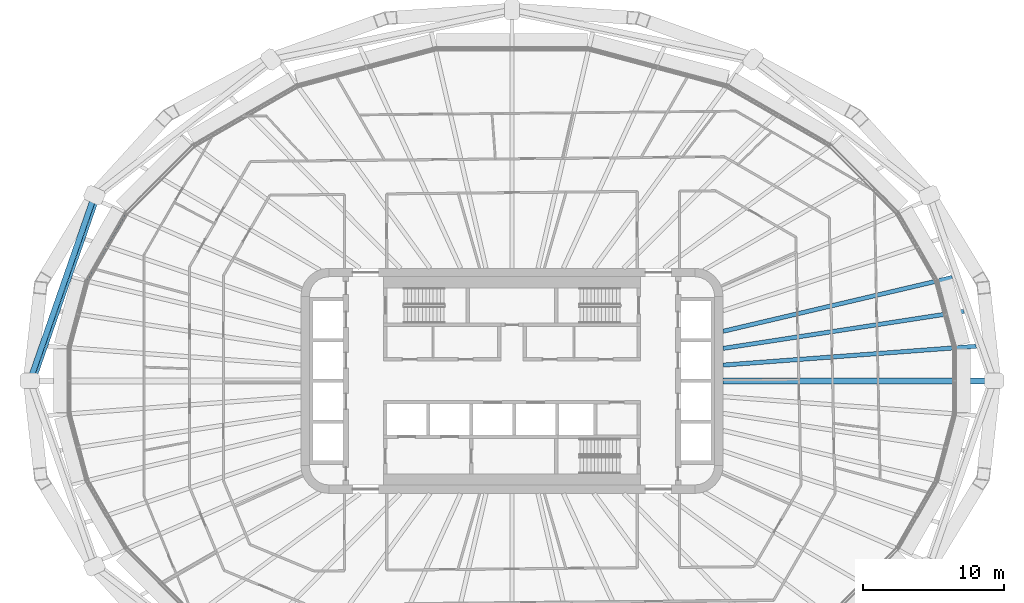
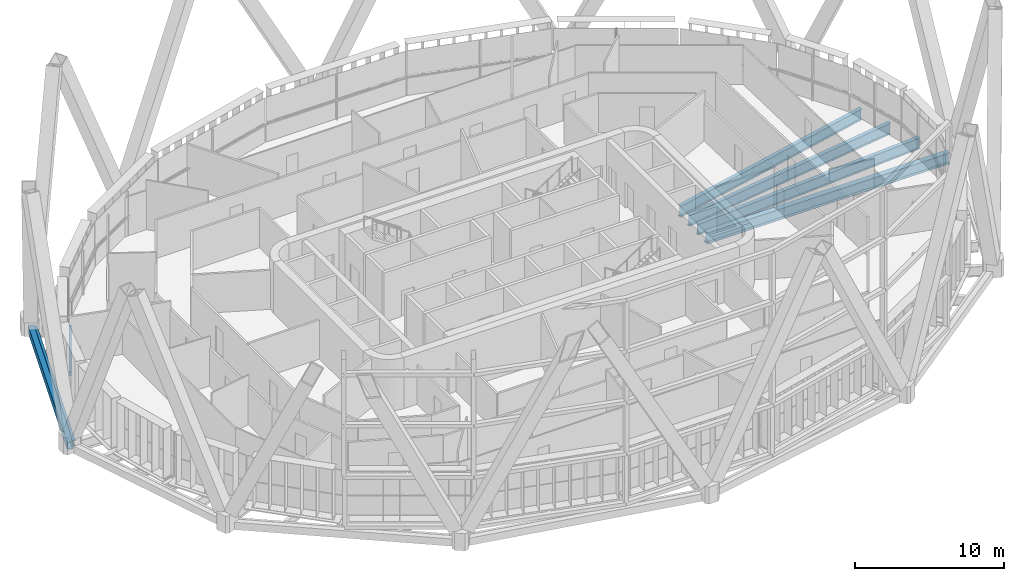
# One storey, part 6 of 25: 7 beams.
"""IFC4 building model written with IfcOpenShell, lengths in metres."""

from ifc_helpers import new_model, si_unit, direction, frame, origin, origin_2d, place, context, subcontext, project, spatial, hollow_rectangle, i_section, extrude, material, material_profile, profile_set, type_object, element, save


model = new_model("IFC4")

# Units and contexts
model_context = context("Model", 3, precision=1e-05, world=origin(), true_north=direction((0.0, 1.0)))
body_context = subcontext(model_context, "Body", "Model", "MODEL_VIEW")
ifc_project = project(units=[si_unit("LENGTHUNIT", "METRE"), si_unit("AREAUNIT", "SQUARE_METRE"), si_unit("VOLUMEUNIT", "CUBIC_METRE"), si_unit("PLANEANGLEUNIT", "RADIAN"), si_unit("MASSUNIT", "GRAM", prefix="KILO")], contexts=[model_context])

# Site, building, storey
site_placement = place(None, origin())
site = spatial("IfcSite", under=ifc_project, at=site_placement, CompositionType="ELEMENT")
building_placement = place(site_placement, origin())
building = spatial("IfcBuilding", under=site, at=building_placement, Name="Sahrelin Media Tower", CompositionType="ELEMENT")
storey_placement = place(building_placement, frame((0.0, 0.0, 79.800048828125)))
storey = spatial("IfcBuildingStorey", under=building, at=storey_placement, Name="L14", CompositionType="ELEMENT", Elevation=79.800048828125)

# Beams
ifc_material_1 = material(Name="Steel S460", Category="steel")
ifc_material_profile_1 = material_profile(ifc_material_1, hollow_rectangle(XDim=0.39990234375, YDim=0.60009765625, WallThickness=0.030029296875, at=origin_2d()), Name="Diagrid ring beam RB1")
ifc_profile_set_1 = profile_set([ifc_material_profile_1], Name="Steel S460")
beam_type_1 = type_object("IfcBeamType", Name="Diagrid ring beam RB1", PredefinedType="BEAM", material=ifc_profile_set_1)
beam_1_placement = place(storey_placement, frame((-29.66357421875, 13.181884765625, -0.449951171875), z_axis=(-0.328783158081, -0.944405439926, 0.0), x_axis=(0.944405439926, -0.328783158081, 0.0)))
element("IfcBeam", 1, at=beam_1_placement, inside=storey, type_object=beam_type_1, Name="Diagrid ring beam RB02-05", PredefinedType="BEAM", context=body_context, shape_type="SweptSolid", body=[
    extrude(hollow_rectangle(XDim=0.39990234375, YDim=0.60009765625, WallThickness=0.030029296875, at=origin_2d()), origin(), (0.0, 0.0, 1.0), 13.957763671875),
])
ifc_material_2 = material(Name="Steel S355", Category="steel")
ifc_material_profile_2 = material_profile(ifc_material_2, i_section(OverallWidth=0.1650390625, OverallDepth=0.303466796875, WebThickness=0.006103515625, FlangeThickness=0.01025390625, FilletRadius=0.0087890625, at=origin_2d()), Name="UB 305x165x40")
ifc_profile_set_2 = profile_set([ifc_material_profile_2], Name="Steel S355")
beam_type_2 = type_object("IfcBeamType", Name="Edge beam EB2", PredefinedType="BEAM", material=ifc_profile_set_2)
beam_2_placement = place(storey_placement, frame((-30.131103515625, 7.065673828125, -0.3017578125), z_axis=(0.500032921827, 0.866006395524, 0.0), x_axis=(-0.866006395524, 0.500032921827, 0.0)))
element("IfcBeam", 2, at=beam_2_placement, inside=storey, type_object=beam_type_2, Name="Edge beam L14-15", PredefinedType="BEAM", context=body_context, shape_type="SweptSolid", body=[
    extrude(i_section(OverallWidth=0.1650390625, OverallDepth=0.303466796875, WebThickness=0.006103515625, FlangeThickness=0.01025390625, FilletRadius=0.0087890625, at=origin_2d()), origin(), (0.0, 0.0, 1.0), 5.536376953125),
])
ifc_material_profile_3 = material_profile(ifc_material_2, i_section(OverallWidth=0.30322265625, OverallDepth=0.903076171875, WebThickness=0.01513671875, FlangeThickness=0.020263671875, FilletRadius=0.01904296875, at=origin_2d()), Name="UB 914x305x201")
ifc_profile_set_3 = profile_set([ifc_material_profile_3], Name="Steel S355")
beam_type_3 = type_object("IfcBeamType", Name="Radial primary beam PB11", PredefinedType="BEAM", material=ifc_profile_set_3)
beam_3_placement = place(storey_placement, frame((15.0, 1.119140625, -0.6015625), z_axis=(0.997228147563, 0.074404446835, 0.0), x_axis=(-0.074404446835, 0.997228147563, 0.0)))
element("IfcBeam", 3, at=beam_3_placement, inside=storey, type_object=beam_type_3, Name="Radial beam L14-01", PredefinedType="BEAM", context=body_context, shape_type="SweptSolid", body=[
    extrude(i_section(OverallWidth=0.30322265625, OverallDepth=0.903076171875, WebThickness=0.01513671875, FlangeThickness=0.020263671875, FilletRadius=0.01904296875, at=origin_2d()), origin(), (0.0, 0.0, 1.0), 18.02734375),
])
beam_4_placement = place(storey_placement, frame((15.0, 3.52294921875, -0.6015625), z_axis=(0.973510923424, 0.228640508167, 0.0), x_axis=(-0.228640508167, 0.973510923424, 0.0)))
element("IfcBeam", 4, at=beam_4_placement, inside=storey, type_object=beam_type_3, Name="Radial beam L14-02", PredefinedType="BEAM", context=body_context, shape_type="SweptSolid", body=[
    extrude(i_section(OverallWidth=0.30322265625, OverallDepth=0.903076171875, WebThickness=0.01513671875, FlangeThickness=0.020263671875, FilletRadius=0.01904296875, at=origin_2d()), origin(), (0.0, 0.0, 1.0), 16.719482421875),
])
ifc_material_profile_4 = material_profile(ifc_material_2, i_section(OverallWidth=0.30322265625, OverallDepth=0.903076171875, WebThickness=0.01513671875, FlangeThickness=0.020263671875, FilletRadius=0.01904296875, at=origin_2d()), Name="UB 914x305x201")
ifc_profile_set_4 = profile_set([ifc_material_profile_4], Name="Steel S355")
beam_type_4 = type_object("IfcBeamType", Name="Radial secondary beam SB11", PredefinedType="BEAM", material=ifc_profile_set_4)
beam_5_placement = place(storey_placement, frame((15.0, 2.306640625, -0.6015625), z_axis=(0.988384245044, 0.151975603796, 0.0), x_axis=(-0.151975603796, 0.988384245044, 0.0)))
element("IfcBeam", 5, at=beam_5_placement, inside=storey, type_object=beam_type_4, Name="Secondary beam L14-01", PredefinedType="BEAM", context=body_context, shape_type="SweptSolid", body=[
    extrude(i_section(OverallWidth=0.30322265625, OverallDepth=0.903076171875, WebThickness=0.01513671875, FlangeThickness=0.020263671875, FilletRadius=0.01904296875, at=origin_2d()), origin(), (0.0, 0.0, 1.0), 17.31591796875),
])
ifc_material_profile_5 = material_profile(ifc_material_2, i_section(OverallWidth=0.41845703125, OverallDepth=0.911865234375, WebThickness=0.019287109375, FlangeThickness=0.031982421875, FilletRadius=0.024169921875, at=origin_2d()), Name="UB 914x419x343")
ifc_profile_set_5 = profile_set([ifc_material_profile_5], Name="Steel S355")
beam_type_5 = type_object("IfcBeamType", Name="Radial secondary beam SB12", PredefinedType="BEAM", material=ifc_profile_set_5)
beam_6_placement = place(storey_placement, frame((15.0, 0.0, -0.60595703125), z_axis=(1.0, 0.0, 0.0), x_axis=(0.0, 1.0, 0.0)))
element("IfcBeam", 6, at=beam_6_placement, inside=storey, type_object=beam_type_5, Name="Secondary beam L14-24", PredefinedType="BEAM", context=body_context, shape_type="SweptSolid", body=[
    extrude(i_section(OverallWidth=0.41845703125, OverallDepth=0.911865234375, WebThickness=0.019287109375, FlangeThickness=0.031982421875, FilletRadius=0.024169921875, at=origin_2d()), origin(), (0.0, 0.0, 1.0), 18.833984375),
])
ifc_material_profile_6 = material_profile(ifc_material_2, i_section(OverallWidth=0.1904296875, OverallDepth=0.45703125, WebThickness=0.009033203125, FlangeThickness=0.014404296875, FilletRadius=0.01025390625, at=origin_2d()), Name="UB 457x191x74")
ifc_profile_set_6 = profile_set([ifc_material_profile_6], Name="Steel S355")
beam_type_6 = type_object("IfcBeamType", Name="Tie chord TC5", PredefinedType="BEAM", material=ifc_profile_set_6)
beam_7_placement = place(storey_placement, frame((-33.934814453125, 0.0, -0.378662109375), z_axis=(0.32878479217, 0.944404871036, 0.0), x_axis=(-0.944404871036, 0.32878479217, 0.0)))
element("IfcBeam", 7, at=beam_7_placement, inside=storey, type_object=beam_type_6, Name="Tie chord L14-07", PredefinedType="BEAM", context=body_context, shape_type="SweptSolid", body=[
    extrude(i_section(OverallWidth=0.1904296875, OverallDepth=0.45703125, WebThickness=0.009033203125, FlangeThickness=0.014404296875, FilletRadius=0.01025390625, at=origin_2d()), origin(), (0.0, 0.0, 1.0), 13.763916015625),
])

save(model, "model.ifc")
